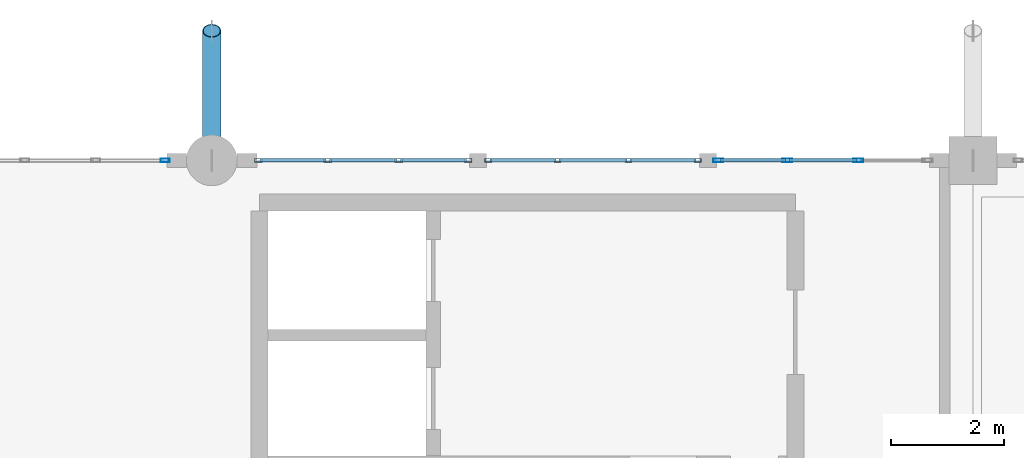
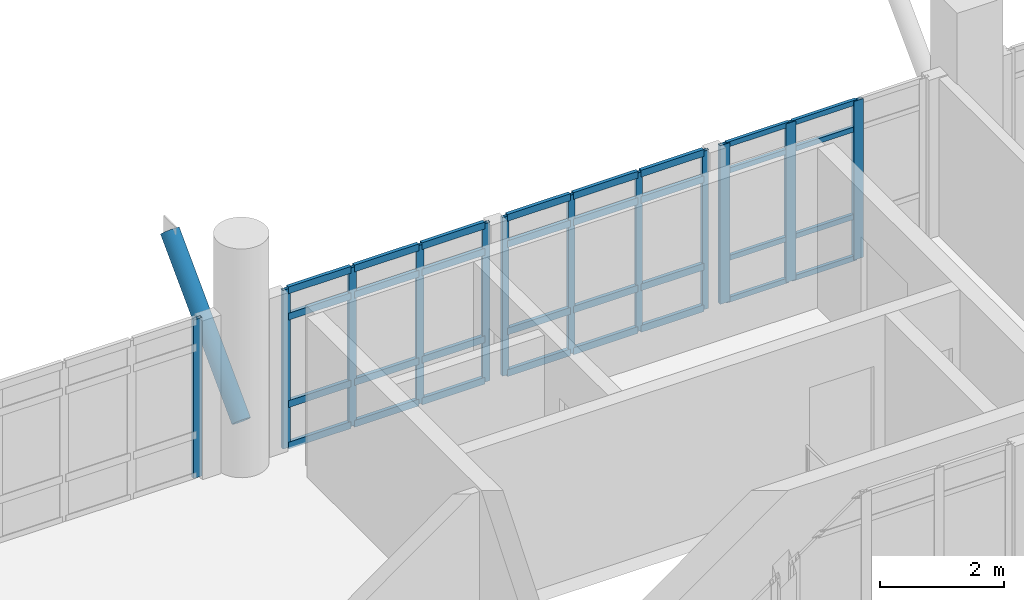
# One storey, part 11 of 37: 45 members, 4 elements without a shape of their own.
"""IFC4 building model written with IfcOpenShell, lengths in metres."""

from ifc_helpers import new_model, si_unit, direction, frame, origin, origin_2d, place, context, subcontext, project, spatial, hollow_rectangle, hollow_circle, extrude, material, layer, layer_set, material_profile, profile_set, type_object, element, aggregate, save


model = new_model("IFC4")

# Units and contexts
model_context = context("Model", 3, precision=1e-05, world=origin(), true_north=direction((0.0, 1.0)))
body_context = subcontext(model_context, "Body", "Model", "MODEL_VIEW")
ifc_project = project(units=[si_unit("LENGTHUNIT", "METRE"), si_unit("AREAUNIT", "SQUARE_METRE"), si_unit("VOLUMEUNIT", "CUBIC_METRE"), si_unit("PLANEANGLEUNIT", "RADIAN"), si_unit("MASSUNIT", "GRAM", prefix="KILO")], contexts=[model_context])

# Site, building, storey
site_placement = place(None, origin())
site = spatial("IfcSite", under=ifc_project, at=site_placement, CompositionType="ELEMENT")
building_placement = place(site_placement, origin())
building = spatial("IfcBuilding", under=site, at=building_placement, Name="Fikremerkos Civic Library", CompositionType="ELEMENT")
storey_placement = place(building_placement, frame((0.0, 0.0, 23.39990234375)))
storey = spatial("IfcBuildingStorey", under=building, at=storey_placement, Name="L05", CompositionType="ELEMENT", Elevation=23.39990234375)

# Curtain wall, members
ifc_material_1 = material(Name="Anodized aluminium Frame", Category="aluminium")
ifc_layer_1 = layer(ifc_material_1, 0.159912109375, Name="Anodized aluminium Frame")
ifc_layer_set_1 = layer_set([ifc_layer_1], Name="Anodized aluminium Frame")
curtain_wall_type_1 = type_object("IfcCurtainWallType", Name="Unitised curtain wall CW-13 3700x3200", PredefinedType="USERDEFINED", material=ifc_layer_set_1)
curtain_wall_1_placement = place(storey_placement, origin())
curtain_wall_1 = element("IfcCurtainWall", 1, at=curtain_wall_1_placement, inside=storey, type_object=curtain_wall_type_1, Name="Unitised curtain wall CW-13 L05 #265", ObjectType="UNITISED CURTAIN WALL", PredefinedType="USERDEFINED")
ifc_material_profile_1 = material_profile(ifc_material_1, hollow_rectangle(XDim=0.06494140625, YDim=0.179931640625, WallThickness=0.00439453125, at=origin_2d()), Name="ALU 180x65x4.5")
ifc_profile_set_1 = profile_set([ifc_material_profile_1], Name="Anodized aluminium Frame")
member_type_1 = type_object("IfcMemberType", Name="Curtain mullion CWM-01 ALU 180x65x4.5", PredefinedType="MULLION", material=ifc_profile_set_1)
member_1_placement = place(storey_placement, frame((55.18310546875, 31.199951171875, 0.0), z_axis=(0.0, 0.0, 1.0), x_axis=(0.0, 1.0, 0.0)))
member_1 = element("IfcMember", 2, at=member_1_placement, type_object=member_type_1, Name="CW-13 mullion 1", PredefinedType="MULLION", context=body_context, shape_type="SweptSolid", body=[
    extrude(hollow_rectangle(XDim=0.06494140625, YDim=0.179931640625, WallThickness=0.00439453125, at=origin_2d()), origin(), (0.0, 0.0, 1.0), 3.1201171875),
])
member_2_placement = place(storey_placement, frame((56.409423828125, 31.199951171875, 0.0), z_axis=(0.0, 0.0, 1.0), x_axis=(0.0, 1.0, 0.0)))
member_2 = element("IfcMember", 3, at=member_2_placement, type_object=member_type_1, Name="CW-13 mullion 2", PredefinedType="MULLION", context=body_context, shape_type="SweptSolid", body=[
    extrude(hollow_rectangle(XDim=0.06494140625, YDim=0.179931640625, WallThickness=0.00439453125, at=origin_2d()), origin(), (0.0, 0.0, 1.0), 3.1201171875),
])
member_3_placement = place(storey_placement, frame((57.668212890625, 31.199951171875, 0.0), z_axis=(0.0, 0.0, 1.0), x_axis=(0.0, 1.0, 0.0)))
member_3 = element("IfcMember", 4, at=member_3_placement, type_object=member_type_1, Name="CW-13 mullion 3", PredefinedType="MULLION", context=body_context, shape_type="SweptSolid", body=[
    extrude(hollow_rectangle(XDim=0.06494140625, YDim=0.179931640625, WallThickness=0.00439453125, at=origin_2d()), origin(), (0.0, 0.0, 1.0), 3.1201171875),
])

# Curtain wall, member
ifc_layer_2 = layer(ifc_material_1, 0.159912109375, Name="Anodized aluminium Frame")
ifc_layer_set_2 = layer_set([ifc_layer_2], Name="Anodized aluminium Frame")
curtain_wall_type_2 = type_object("IfcCurtainWallType", Name="Unitised curtain wall CW-10 4000x3400", PredefinedType="USERDEFINED", material=ifc_layer_set_2)
curtain_wall_2_placement = place(storey_placement, origin())
curtain_wall_2 = element("IfcCurtainWall", 5, at=curtain_wall_2_placement, inside=storey, type_object=curtain_wall_type_2, Name="Unitised curtain wall CW-10 L05 #262", ObjectType="UNITISED CURTAIN WALL", PredefinedType="USERDEFINED")
ifc_material_profile_2 = material_profile(ifc_material_1, hollow_rectangle(XDim=0.06005859375, YDim=0.159912109375, WallThickness=0.00390625, at=origin_2d()), Name="ALU 160x60x4")
ifc_profile_set_2 = profile_set([ifc_material_profile_2], Name="Anodized aluminium Frame")
member_type_2 = type_object("IfcMemberType", Name="Curtain mullion CWM-02 ALU 160x60x4", PredefinedType="MULLION", material=ifc_profile_set_2)
member_4_placement = place(storey_placement, frame((45.3720703125, 31.199951171875, 0.0), z_axis=(0.0, 0.0, 1.0), x_axis=(0.0, 1.0, 0.0)))
member_4 = element("IfcMember", 6, at=member_4_placement, type_object=member_type_2, Name="CW-10 mullion 4", PredefinedType="MULLION", context=body_context, shape_type="SweptSolid", body=[
    extrude(hollow_rectangle(XDim=0.06005859375, YDim=0.159912109375, WallThickness=0.00390625, at=origin_2d()), origin(), (0.0, 0.0, 1.0), 3.1201171875),
])
aggregate(curtain_wall_2, [member_4])

# Curtain wall, members
ifc_layer_3 = layer(ifc_material_1, 0.159912109375, Name="Anodized aluminium Frame")
ifc_layer_set_3 = layer_set([ifc_layer_3], Name="Anodized aluminium Frame")
curtain_wall_type_3 = type_object("IfcCurtainWallType", Name="Unitised curtain wall CW-11 3200x3400", PredefinedType="USERDEFINED", material=ifc_layer_set_3)
curtain_wall_3_placement = place(storey_placement, origin())
curtain_wall_3 = element("IfcCurtainWall", 7, at=curtain_wall_3_placement, inside=storey, type_object=curtain_wall_type_3, Name="Unitised curtain wall CW-11 L05 #263", ObjectType="UNITISED CURTAIN WALL", PredefinedType="USERDEFINED")
ifc_material_profile_3 = material_profile(ifc_material_1, hollow_rectangle(XDim=0.06005859375, YDim=0.139892578125, WallThickness=0.00390625, at=origin_2d()), Name="ALU 140x60x4")
ifc_profile_set_3 = profile_set([ifc_material_profile_3], Name="Anodized aluminium Frame")
member_type_3 = type_object("IfcMemberType", Name="Curtain mullion CWM-03 ALU 140x60x4", PredefinedType="MULLION", material=ifc_profile_set_3)
member_5_placement = place(storey_placement, frame((47.028076171875, 31.199951171875, 0.0), z_axis=(0.0, 0.0, 1.0), x_axis=(0.0, 1.0, 0.0)))
member_5 = element("IfcMember", 8, at=member_5_placement, type_object=member_type_3, Name="CW-11 mullion 1", PredefinedType="MULLION", context=body_context, shape_type="SweptSolid", body=[
    extrude(hollow_rectangle(XDim=0.06005859375, YDim=0.139892578125, WallThickness=0.00390625, at=origin_2d()), origin(), (0.0, 0.0, 1.0), 3.1201171875),
])
member_6_placement = place(storey_placement, frame((48.2568359375, 31.199951171875, 0.0), z_axis=(0.0, 0.0, 1.0), x_axis=(0.0, 1.0, 0.0)))
member_6 = element("IfcMember", 9, at=member_6_placement, type_object=member_type_3, Name="CW-11 mullion 2", PredefinedType="MULLION", context=body_context, shape_type="SweptSolid", body=[
    extrude(hollow_rectangle(XDim=0.06005859375, YDim=0.139892578125, WallThickness=0.00390625, at=origin_2d()), origin(), (0.0, 0.0, 1.0), 3.1201171875),
])
member_7_placement = place(storey_placement, frame((49.515625, 31.199951171875, 0.0), z_axis=(0.0, 0.0, 1.0), x_axis=(0.0, 1.0, 0.0)))
member_7 = element("IfcMember", 10, at=member_7_placement, type_object=member_type_3, Name="CW-11 mullion 3", PredefinedType="MULLION", context=body_context, shape_type="SweptSolid", body=[
    extrude(hollow_rectangle(XDim=0.06005859375, YDim=0.139892578125, WallThickness=0.00390625, at=origin_2d()), origin(), (0.0, 0.0, 1.0), 3.1201171875),
])
member_8_placement = place(storey_placement, frame((50.744384765625, 31.199951171875, 0.0), z_axis=(0.0, 0.0, 1.0), x_axis=(0.0, 1.0, 0.0)))
member_8 = element("IfcMember", 11, at=member_8_placement, type_object=member_type_3, Name="CW-11 mullion 4", PredefinedType="MULLION", context=body_context, shape_type="SweptSolid", body=[
    extrude(hollow_rectangle(XDim=0.06005859375, YDim=0.139892578125, WallThickness=0.00390625, at=origin_2d()), origin(), (0.0, 0.0, 1.0), 3.1201171875),
])

ifc_layer_4 = layer(ifc_material_1, 0.159912109375, Name="Anodized aluminium Frame")
ifc_layer_set_4 = layer_set([ifc_layer_4], Name="Anodized aluminium Frame")
curtain_wall_type_4 = type_object("IfcCurtainWallType", Name="Unitised curtain wall CW-12 4300x3400", PredefinedType="USERDEFINED", material=ifc_layer_set_4)
curtain_wall_4_placement = place(storey_placement, origin())
curtain_wall_4 = element("IfcCurtainWall", 12, at=curtain_wall_4_placement, inside=storey, type_object=curtain_wall_type_4, Name="Unitised curtain wall CW-12 L05 #264", ObjectType="UNITISED CURTAIN WALL", PredefinedType="USERDEFINED")
ifc_material_profile_4 = material_profile(ifc_material_1, hollow_rectangle(XDim=0.06005859375, YDim=0.1201171875, WallThickness=0.00390625, at=origin_2d()), Name="ALU 120x60x4")
ifc_profile_set_4 = profile_set([ifc_material_profile_4], Name="Anodized aluminium Frame")
member_type_4 = type_object("IfcMemberType", Name="Curtain mullion CWM-04 ALU 120x60x4", PredefinedType="MULLION", material=ifc_profile_set_4)
member_9_placement = place(storey_placement, frame((51.104248046875, 31.199951171875, 0.0), z_axis=(0.0, 0.0, 1.0), x_axis=(0.0, 1.0, 0.0)))
member_9 = element("IfcMember", 13, at=member_9_placement, type_object=member_type_4, Name="CW-12 mullion 1", PredefinedType="MULLION", context=body_context, shape_type="SweptSolid", body=[
    extrude(hollow_rectangle(XDim=0.06005859375, YDim=0.1201171875, WallThickness=0.00390625, at=origin_2d()), origin(), (0.0, 0.0, 1.0), 3.1201171875),
])
member_10_placement = place(storey_placement, frame((52.3330078125, 31.199951171875, 0.0), z_axis=(0.0, 0.0, 1.0), x_axis=(0.0, 1.0, 0.0)))
member_10 = element("IfcMember", 14, at=member_10_placement, type_object=member_type_4, Name="CW-12 mullion 2", PredefinedType="MULLION", context=body_context, shape_type="SweptSolid", body=[
    extrude(hollow_rectangle(XDim=0.06005859375, YDim=0.1201171875, WallThickness=0.00390625, at=origin_2d()), origin(), (0.0, 0.0, 1.0), 3.1201171875),
])
member_11_placement = place(storey_placement, frame((53.591796875, 31.199951171875, 0.0), z_axis=(0.0, 0.0, 1.0), x_axis=(0.0, 1.0, 0.0)))
member_11 = element("IfcMember", 15, at=member_11_placement, type_object=member_type_4, Name="CW-12 mullion 3", PredefinedType="MULLION", context=body_context, shape_type="SweptSolid", body=[
    extrude(hollow_rectangle(XDim=0.06005859375, YDim=0.1201171875, WallThickness=0.00390625, at=origin_2d()), origin(), (0.0, 0.0, 1.0), 3.1201171875),
])
member_12_placement = place(storey_placement, frame((54.820556640625, 31.199951171875, 0.0), z_axis=(0.0, 0.0, 1.0), x_axis=(0.0, 1.0, 0.0)))
member_12 = element("IfcMember", 16, at=member_12_placement, type_object=member_type_4, Name="CW-12 mullion 4", PredefinedType="MULLION", context=body_context, shape_type="SweptSolid", body=[
    extrude(hollow_rectangle(XDim=0.06005859375, YDim=0.1201171875, WallThickness=0.00390625, at=origin_2d()), origin(), (0.0, 0.0, 1.0), 3.1201171875),
])

# Member
ifc_material_profile_5 = material_profile(ifc_material_1, hollow_rectangle(XDim=0.06494140625, YDim=0.135009765625, WallThickness=0.00439453125, at=origin_2d()), Name="ALU 135x65x4.5")
ifc_profile_set_5 = profile_set([ifc_material_profile_5], Name="Anodized aluminium Frame")
member_type_5 = type_object("IfcMemberType", Name="Curtain transom CWT-02 ALU 135x65x4.5", PredefinedType="USERDEFINED", material=ifc_profile_set_5)
member_13_placement = place(storey_placement, frame((47.05810546875, 31.199951171875, 0.03271484375), z_axis=(1.0, 0.0, 0.0), x_axis=(0.0, 1.0, 0.0)))
member_13 = element("IfcMember", 17, at=member_13_placement, type_object=member_type_5, Name="CW-11 transom 1.1", ObjectType="TRANSOM", PredefinedType="USERDEFINED", context=body_context, shape_type="SweptSolid", body=[
    extrude(hollow_rectangle(XDim=0.06494140625, YDim=0.135009765625, WallThickness=0.00439453125, at=origin_2d()), origin(), (0.0, 0.0, 1.0), 1.168701171875),
])

member_14_placement = place(storey_placement, frame((47.05810546875, 31.199951171875, 0.85009765625), z_axis=(1.0, 0.0, 0.0), x_axis=(0.0, 1.0, 0.0)))
member_14 = element("IfcMember", 18, at=member_14_placement, type_object=member_type_5, Name="CW-11 transom 1.2", ObjectType="TRANSOM", PredefinedType="USERDEFINED", context=body_context, shape_type="SweptSolid", body=[
    extrude(hollow_rectangle(XDim=0.06494140625, YDim=0.135009765625, WallThickness=0.00439453125, at=origin_2d()), origin(), (0.0, 0.0, 1.0), 1.168701171875),
])

member_15_placement = place(storey_placement, frame((47.05810546875, 31.199951171875, 2.570068359375), z_axis=(1.0, 0.0, 0.0), x_axis=(0.0, 1.0, 0.0)))
member_15 = element("IfcMember", 19, at=member_15_placement, type_object=member_type_5, Name="CW-11 transom 1.3", ObjectType="TRANSOM", PredefinedType="USERDEFINED", context=body_context, shape_type="SweptSolid", body=[
    extrude(hollow_rectangle(XDim=0.06494140625, YDim=0.135009765625, WallThickness=0.00439453125, at=origin_2d()), origin(), (0.0, 0.0, 1.0), 1.168701171875),
])

member_16_placement = place(storey_placement, frame((47.05810546875, 31.199951171875, 3.087646484375), z_axis=(1.0, 0.0, 0.0), x_axis=(0.0, 1.0, 0.0)))
member_16 = element("IfcMember", 20, at=member_16_placement, type_object=member_type_5, Name="CW-11 transom 1.4", ObjectType="TRANSOM", PredefinedType="USERDEFINED", context=body_context, shape_type="SweptSolid", body=[
    extrude(hollow_rectangle(XDim=0.06494140625, YDim=0.135009765625, WallThickness=0.00439453125, at=origin_2d()), origin(), (0.0, 0.0, 1.0), 1.168701171875),
])

member_17_placement = place(storey_placement, frame((48.286865234375, 31.199951171875, 0.03271484375), z_axis=(1.0, 0.0, 0.0), x_axis=(0.0, 1.0, 0.0)))
member_17 = element("IfcMember", 21, at=member_17_placement, type_object=member_type_5, Name="CW-11 transom 2.1", ObjectType="TRANSOM", PredefinedType="USERDEFINED", context=body_context, shape_type="SweptSolid", body=[
    extrude(hollow_rectangle(XDim=0.06494140625, YDim=0.135009765625, WallThickness=0.00439453125, at=origin_2d()), origin(), (0.0, 0.0, 1.0), 1.19873046875),
])

member_18_placement = place(storey_placement, frame((48.286865234375, 31.199951171875, 0.85009765625), z_axis=(1.0, 0.0, 0.0), x_axis=(0.0, 1.0, 0.0)))
member_18 = element("IfcMember", 22, at=member_18_placement, type_object=member_type_5, Name="CW-11 transom 2.2", ObjectType="TRANSOM", PredefinedType="USERDEFINED", context=body_context, shape_type="SweptSolid", body=[
    extrude(hollow_rectangle(XDim=0.06494140625, YDim=0.135009765625, WallThickness=0.00439453125, at=origin_2d()), origin(), (0.0, 0.0, 1.0), 1.19873046875),
])

member_19_placement = place(storey_placement, frame((48.286865234375, 31.199951171875, 2.570068359375), z_axis=(1.0, 0.0, 0.0), x_axis=(0.0, 1.0, 0.0)))
member_19 = element("IfcMember", 23, at=member_19_placement, type_object=member_type_5, Name="CW-11 transom 2.3", ObjectType="TRANSOM", PredefinedType="USERDEFINED", context=body_context, shape_type="SweptSolid", body=[
    extrude(hollow_rectangle(XDim=0.06494140625, YDim=0.135009765625, WallThickness=0.00439453125, at=origin_2d()), origin(), (0.0, 0.0, 1.0), 1.19873046875),
])

member_20_placement = place(storey_placement, frame((48.286865234375, 31.199951171875, 3.087646484375), z_axis=(1.0, 0.0, 0.0), x_axis=(0.0, 1.0, 0.0)))
member_20 = element("IfcMember", 24, at=member_20_placement, type_object=member_type_5, Name="CW-11 transom 2.4", ObjectType="TRANSOM", PredefinedType="USERDEFINED", context=body_context, shape_type="SweptSolid", body=[
    extrude(hollow_rectangle(XDim=0.06494140625, YDim=0.135009765625, WallThickness=0.00439453125, at=origin_2d()), origin(), (0.0, 0.0, 1.0), 1.19873046875),
])

member_21_placement = place(storey_placement, frame((49.545654296875, 31.199951171875, 0.03271484375), z_axis=(1.0, 0.0, 0.0), x_axis=(0.0, 1.0, 0.0)))
member_21 = element("IfcMember", 25, at=member_21_placement, type_object=member_type_5, Name="CW-11 transom 3.1", ObjectType="TRANSOM", PredefinedType="USERDEFINED", context=body_context, shape_type="SweptSolid", body=[
    extrude(hollow_rectangle(XDim=0.06494140625, YDim=0.135009765625, WallThickness=0.00439453125, at=origin_2d()), origin(), (0.0, 0.0, 1.0), 1.168701171875),
])

member_22_placement = place(storey_placement, frame((49.545654296875, 31.199951171875, 0.85009765625), z_axis=(1.0, 0.0, 0.0), x_axis=(0.0, 1.0, 0.0)))
member_22 = element("IfcMember", 26, at=member_22_placement, type_object=member_type_5, Name="CW-11 transom 3.2", ObjectType="TRANSOM", PredefinedType="USERDEFINED", context=body_context, shape_type="SweptSolid", body=[
    extrude(hollow_rectangle(XDim=0.06494140625, YDim=0.135009765625, WallThickness=0.00439453125, at=origin_2d()), origin(), (0.0, 0.0, 1.0), 1.168701171875),
])

member_23_placement = place(storey_placement, frame((49.545654296875, 31.199951171875, 2.570068359375), z_axis=(1.0, 0.0, 0.0), x_axis=(0.0, 1.0, 0.0)))
member_23 = element("IfcMember", 27, at=member_23_placement, type_object=member_type_5, Name="CW-11 transom 3.3", ObjectType="TRANSOM", PredefinedType="USERDEFINED", context=body_context, shape_type="SweptSolid", body=[
    extrude(hollow_rectangle(XDim=0.06494140625, YDim=0.135009765625, WallThickness=0.00439453125, at=origin_2d()), origin(), (0.0, 0.0, 1.0), 1.168701171875),
])

member_24_placement = place(storey_placement, frame((49.545654296875, 31.199951171875, 3.087646484375), z_axis=(1.0, 0.0, 0.0), x_axis=(0.0, 1.0, 0.0)))
member_24 = element("IfcMember", 28, at=member_24_placement, type_object=member_type_5, Name="CW-11 transom 3.4", ObjectType="TRANSOM", PredefinedType="USERDEFINED", context=body_context, shape_type="SweptSolid", body=[
    extrude(hollow_rectangle(XDim=0.06494140625, YDim=0.135009765625, WallThickness=0.00439453125, at=origin_2d()), origin(), (0.0, 0.0, 1.0), 1.168701171875),
])

aggregate(curtain_wall_3, [member_5, member_6, member_7, member_8, member_13, member_14, member_15, member_16, member_17, member_18, member_19, member_20, member_21, member_22, member_23, member_24])

member_25_placement = place(storey_placement, frame((51.13427734375, 31.199951171875, 0.03271484375), z_axis=(1.0, 0.0, 0.0), x_axis=(0.0, 1.0, 0.0)))
member_25 = element("IfcMember", 29, at=member_25_placement, type_object=member_type_5, Name="CW-12 transom 1.1", ObjectType="TRANSOM", PredefinedType="USERDEFINED", context=body_context, shape_type="SweptSolid", body=[
    extrude(hollow_rectangle(XDim=0.06494140625, YDim=0.135009765625, WallThickness=0.00439453125, at=origin_2d()), origin(), (0.0, 0.0, 1.0), 1.1689453125),
])

member_26_placement = place(storey_placement, frame((51.13427734375, 31.199951171875, 0.85009765625), z_axis=(1.0, 0.0, 0.0), x_axis=(0.0, 1.0, 0.0)))
member_26 = element("IfcMember", 30, at=member_26_placement, type_object=member_type_5, Name="CW-12 transom 1.2", ObjectType="TRANSOM", PredefinedType="USERDEFINED", context=body_context, shape_type="SweptSolid", body=[
    extrude(hollow_rectangle(XDim=0.06494140625, YDim=0.135009765625, WallThickness=0.00439453125, at=origin_2d()), origin(), (0.0, 0.0, 1.0), 1.1689453125),
])

member_27_placement = place(storey_placement, frame((51.13427734375, 31.199951171875, 2.570068359375), z_axis=(1.0, 0.0, 0.0), x_axis=(0.0, 1.0, 0.0)))
member_27 = element("IfcMember", 31, at=member_27_placement, type_object=member_type_5, Name="CW-12 transom 1.3", ObjectType="TRANSOM", PredefinedType="USERDEFINED", context=body_context, shape_type="SweptSolid", body=[
    extrude(hollow_rectangle(XDim=0.06494140625, YDim=0.135009765625, WallThickness=0.00439453125, at=origin_2d()), origin(), (0.0, 0.0, 1.0), 1.1689453125),
])

member_28_placement = place(storey_placement, frame((51.13427734375, 31.199951171875, 3.087646484375), z_axis=(1.0, 0.0, 0.0), x_axis=(0.0, 1.0, 0.0)))
member_28 = element("IfcMember", 32, at=member_28_placement, type_object=member_type_5, Name="CW-12 transom 1.4", ObjectType="TRANSOM", PredefinedType="USERDEFINED", context=body_context, shape_type="SweptSolid", body=[
    extrude(hollow_rectangle(XDim=0.06494140625, YDim=0.135009765625, WallThickness=0.00439453125, at=origin_2d()), origin(), (0.0, 0.0, 1.0), 1.1689453125),
])

member_29_placement = place(storey_placement, frame((52.363037109375, 31.199951171875, 0.03271484375), z_axis=(1.0, 0.0, 0.0), x_axis=(0.0, 1.0, 0.0)))
member_29 = element("IfcMember", 33, at=member_29_placement, type_object=member_type_5, Name="CW-12 transom 2.1", ObjectType="TRANSOM", PredefinedType="USERDEFINED", context=body_context, shape_type="SweptSolid", body=[
    extrude(hollow_rectangle(XDim=0.06494140625, YDim=0.135009765625, WallThickness=0.00439453125, at=origin_2d()), origin(), (0.0, 0.0, 1.0), 1.198974609375),
])

member_30_placement = place(storey_placement, frame((52.363037109375, 31.199951171875, 0.85009765625), z_axis=(1.0, 0.0, 0.0), x_axis=(0.0, 1.0, 0.0)))
member_30 = element("IfcMember", 34, at=member_30_placement, type_object=member_type_5, Name="CW-12 transom 2.2", ObjectType="TRANSOM", PredefinedType="USERDEFINED", context=body_context, shape_type="SweptSolid", body=[
    extrude(hollow_rectangle(XDim=0.06494140625, YDim=0.135009765625, WallThickness=0.00439453125, at=origin_2d()), origin(), (0.0, 0.0, 1.0), 1.198974609375),
])

member_31_placement = place(storey_placement, frame((52.363037109375, 31.199951171875, 2.570068359375), z_axis=(1.0, 0.0, 0.0), x_axis=(0.0, 1.0, 0.0)))
member_31 = element("IfcMember", 35, at=member_31_placement, type_object=member_type_5, Name="CW-12 transom 2.3", ObjectType="TRANSOM", PredefinedType="USERDEFINED", context=body_context, shape_type="SweptSolid", body=[
    extrude(hollow_rectangle(XDim=0.06494140625, YDim=0.135009765625, WallThickness=0.00439453125, at=origin_2d()), origin(), (0.0, 0.0, 1.0), 1.198974609375),
])

member_32_placement = place(storey_placement, frame((52.363037109375, 31.199951171875, 3.087646484375), z_axis=(1.0, 0.0, 0.0), x_axis=(0.0, 1.0, 0.0)))
member_32 = element("IfcMember", 36, at=member_32_placement, type_object=member_type_5, Name="CW-12 transom 2.4", ObjectType="TRANSOM", PredefinedType="USERDEFINED", context=body_context, shape_type="SweptSolid", body=[
    extrude(hollow_rectangle(XDim=0.06494140625, YDim=0.135009765625, WallThickness=0.00439453125, at=origin_2d()), origin(), (0.0, 0.0, 1.0), 1.198974609375),
])

member_33_placement = place(storey_placement, frame((53.621826171875, 31.199951171875, 0.03271484375), z_axis=(1.0, 0.0, 0.0), x_axis=(0.0, 1.0, 0.0)))
member_33 = element("IfcMember", 37, at=member_33_placement, type_object=member_type_5, Name="CW-12 transom 3.1", ObjectType="TRANSOM", PredefinedType="USERDEFINED", context=body_context, shape_type="SweptSolid", body=[
    extrude(hollow_rectangle(XDim=0.06494140625, YDim=0.135009765625, WallThickness=0.00439453125, at=origin_2d()), origin(), (0.0, 0.0, 1.0), 1.1689453125),
])

member_34_placement = place(storey_placement, frame((53.621826171875, 31.199951171875, 0.85009765625), z_axis=(1.0, 0.0, 0.0), x_axis=(0.0, 1.0, 0.0)))
member_34 = element("IfcMember", 38, at=member_34_placement, type_object=member_type_5, Name="CW-12 transom 3.2", ObjectType="TRANSOM", PredefinedType="USERDEFINED", context=body_context, shape_type="SweptSolid", body=[
    extrude(hollow_rectangle(XDim=0.06494140625, YDim=0.135009765625, WallThickness=0.00439453125, at=origin_2d()), origin(), (0.0, 0.0, 1.0), 1.1689453125),
])

member_35_placement = place(storey_placement, frame((53.621826171875, 31.199951171875, 2.570068359375), z_axis=(1.0, 0.0, 0.0), x_axis=(0.0, 1.0, 0.0)))
member_35 = element("IfcMember", 39, at=member_35_placement, type_object=member_type_5, Name="CW-12 transom 3.3", ObjectType="TRANSOM", PredefinedType="USERDEFINED", context=body_context, shape_type="SweptSolid", body=[
    extrude(hollow_rectangle(XDim=0.06494140625, YDim=0.135009765625, WallThickness=0.00439453125, at=origin_2d()), origin(), (0.0, 0.0, 1.0), 1.1689453125),
])

member_36_placement = place(storey_placement, frame((53.621826171875, 31.199951171875, 3.087646484375), z_axis=(1.0, 0.0, 0.0), x_axis=(0.0, 1.0, 0.0)))
member_36 = element("IfcMember", 40, at=member_36_placement, type_object=member_type_5, Name="CW-12 transom 3.4", ObjectType="TRANSOM", PredefinedType="USERDEFINED", context=body_context, shape_type="SweptSolid", body=[
    extrude(hollow_rectangle(XDim=0.06494140625, YDim=0.135009765625, WallThickness=0.00439453125, at=origin_2d()), origin(), (0.0, 0.0, 1.0), 1.1689453125),
])

aggregate(curtain_wall_4, [member_9, member_10, member_11, member_12, member_25, member_26, member_27, member_28, member_29, member_30, member_31, member_32, member_33, member_34, member_35, member_36])

ifc_material_profile_6 = material_profile(ifc_material_1, hollow_rectangle(XDim=0.06005859375, YDim=0.10009765625, WallThickness=0.00390625, at=origin_2d()), Name="ALU 100x60x4")
ifc_profile_set_6 = profile_set([ifc_material_profile_6], Name="Anodized aluminium Frame")
member_type_6 = type_object("IfcMemberType", Name="Curtain transom CWT-03 ALU 100x60x4", PredefinedType="USERDEFINED", material=ifc_profile_set_6)
member_37_placement = place(storey_placement, frame((55.215576171875, 31.199951171875, 0.030029296875), z_axis=(1.0, 0.0, 0.0), x_axis=(0.0, 1.0, 0.0)))
member_37 = element("IfcMember", 41, at=member_37_placement, type_object=member_type_6, Name="CW-13 transom 1.1", ObjectType="TRANSOM", PredefinedType="USERDEFINED", context=body_context, shape_type="SweptSolid", body=[
    extrude(hollow_rectangle(XDim=0.06005859375, YDim=0.10009765625, WallThickness=0.00390625, at=origin_2d()), origin(), (0.0, 0.0, 1.0), 1.161376953125),
])

member_38_placement = place(storey_placement, frame((55.215576171875, 31.199951171875, 0.85009765625), z_axis=(1.0, 0.0, 0.0), x_axis=(0.0, 1.0, 0.0)))
member_38 = element("IfcMember", 42, at=member_38_placement, type_object=member_type_6, Name="CW-13 transom 1.2", ObjectType="TRANSOM", PredefinedType="USERDEFINED", context=body_context, shape_type="SweptSolid", body=[
    extrude(hollow_rectangle(XDim=0.06005859375, YDim=0.10009765625, WallThickness=0.00390625, at=origin_2d()), origin(), (0.0, 0.0, 1.0), 1.161376953125),
])

member_39_placement = place(storey_placement, frame((55.215576171875, 31.199951171875, 2.570068359375), z_axis=(1.0, 0.0, 0.0), x_axis=(0.0, 1.0, 0.0)))
member_39 = element("IfcMember", 43, at=member_39_placement, type_object=member_type_6, Name="CW-13 transom 1.3", ObjectType="TRANSOM", PredefinedType="USERDEFINED", context=body_context, shape_type="SweptSolid", body=[
    extrude(hollow_rectangle(XDim=0.06005859375, YDim=0.10009765625, WallThickness=0.00390625, at=origin_2d()), origin(), (0.0, 0.0, 1.0), 1.161376953125),
])

member_40_placement = place(storey_placement, frame((55.215576171875, 31.199951171875, 3.090087890625), z_axis=(1.0, 0.0, 0.0), x_axis=(0.0, 1.0, 0.0)))
member_40 = element("IfcMember", 44, at=member_40_placement, type_object=member_type_6, Name="CW-13 transom 1.4", ObjectType="TRANSOM", PredefinedType="USERDEFINED", context=body_context, shape_type="SweptSolid", body=[
    extrude(hollow_rectangle(XDim=0.06005859375, YDim=0.10009765625, WallThickness=0.00390625, at=origin_2d()), origin(), (0.0, 0.0, 1.0), 1.161376953125),
])

member_41_placement = place(storey_placement, frame((56.44189453125, 31.199951171875, 0.030029296875), z_axis=(1.0, 0.0, 0.0), x_axis=(0.0, 1.0, 0.0)))
member_41 = element("IfcMember", 45, at=member_41_placement, type_object=member_type_6, Name="CW-13 transom 2.1", ObjectType="TRANSOM", PredefinedType="USERDEFINED", context=body_context, shape_type="SweptSolid", body=[
    extrude(hollow_rectangle(XDim=0.06005859375, YDim=0.10009765625, WallThickness=0.00390625, at=origin_2d()), origin(), (0.0, 0.0, 1.0), 1.19384765625),
])

member_42_placement = place(storey_placement, frame((56.44189453125, 31.199951171875, 0.85009765625), z_axis=(1.0, 0.0, 0.0), x_axis=(0.0, 1.0, 0.0)))
member_42 = element("IfcMember", 46, at=member_42_placement, type_object=member_type_6, Name="CW-13 transom 2.2", ObjectType="TRANSOM", PredefinedType="USERDEFINED", context=body_context, shape_type="SweptSolid", body=[
    extrude(hollow_rectangle(XDim=0.06005859375, YDim=0.10009765625, WallThickness=0.00390625, at=origin_2d()), origin(), (0.0, 0.0, 1.0), 1.19384765625),
])

member_43_placement = place(storey_placement, frame((56.44189453125, 31.199951171875, 2.570068359375), z_axis=(1.0, 0.0, 0.0), x_axis=(0.0, 1.0, 0.0)))
member_43 = element("IfcMember", 47, at=member_43_placement, type_object=member_type_6, Name="CW-13 transom 2.3", ObjectType="TRANSOM", PredefinedType="USERDEFINED", context=body_context, shape_type="SweptSolid", body=[
    extrude(hollow_rectangle(XDim=0.06005859375, YDim=0.10009765625, WallThickness=0.00390625, at=origin_2d()), origin(), (0.0, 0.0, 1.0), 1.19384765625),
])

member_44_placement = place(storey_placement, frame((56.44189453125, 31.199951171875, 3.090087890625), z_axis=(1.0, 0.0, 0.0), x_axis=(0.0, 1.0, 0.0)))
member_44 = element("IfcMember", 48, at=member_44_placement, type_object=member_type_6, Name="CW-13 transom 2.4", ObjectType="TRANSOM", PredefinedType="USERDEFINED", context=body_context, shape_type="SweptSolid", body=[
    extrude(hollow_rectangle(XDim=0.06005859375, YDim=0.10009765625, WallThickness=0.00390625, at=origin_2d()), origin(), (0.0, 0.0, 1.0), 1.19384765625),
])

aggregate(curtain_wall_1, [member_1, member_2, member_3, member_37, member_38, member_39, member_40, member_41, member_42, member_43, member_44])

ifc_material_2 = material(Name="Steel S355", Category="steel")
ifc_material_profile_7 = material_profile(ifc_material_2, hollow_circle(Radius=0.161865234375, WallThickness=0.012451171875, at=origin_2d()), Name="CHS 323.9x12.5")
ifc_profile_set_7 = profile_set([ifc_material_profile_7], Name="Steel S355")
member_type_7 = type_object("IfcMemberType", Name="Raking strut STR-03 CHS 323.9x12.5", PredefinedType="STRUT", material=ifc_profile_set_7)
member_45_placement = place(storey_placement, frame((46.199951171875, 31.199951171875, 0.800048828125), z_axis=(0.0, 0.69945578618, 0.714675872812), x_axis=(-1.0, 0.0, 0.0)))
element("IfcMember", 49, at=member_45_placement, inside=storey, type_object=member_type_7, Name="Raking valley overhang strut STR-03 L05 X=46.2", PredefinedType="STRUT", context=body_context, shape_type="SweptSolid", body=[
    extrude(hollow_circle(Radius=0.161865234375, WallThickness=0.012451171875, at=origin_2d()), origin(), (0.0, 0.0, 1.0), 3.288330078125),
])

save(model, "model.ifc")
